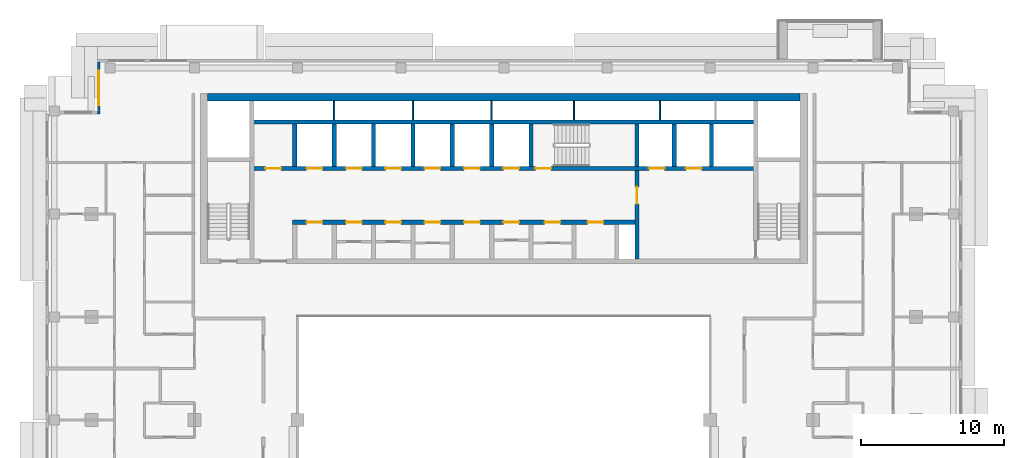
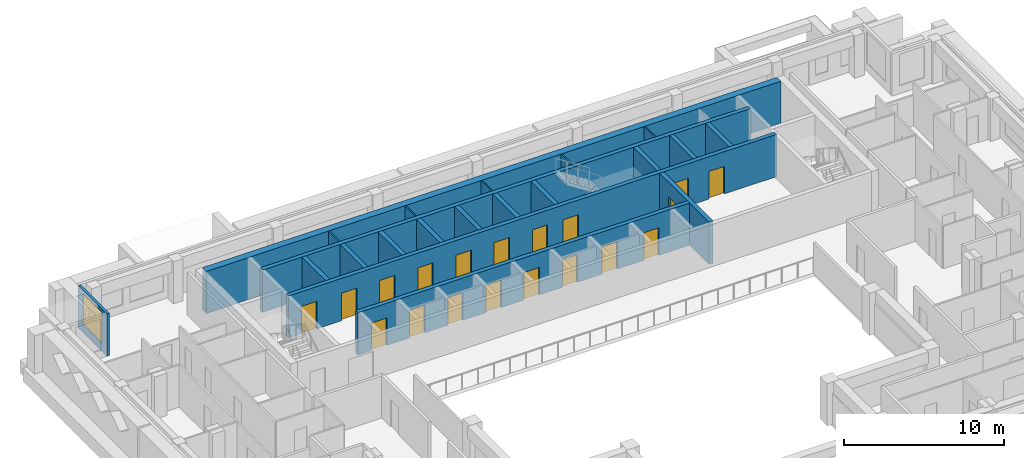
# One storey, part 10 of 19: 21 walls, 19 doors, 1 window, 20 openings.
"""IFC4 building model written with IfcOpenShell, lengths in metres."""

from ifc_helpers import new_model, si_unit, direction, frame, frame_2d, origin, place, context, subcontext, project, spatial, rectangle, extrude, material, layer, layer_set, type_object, element, fill, save


model = new_model("IFC4")

# Units and contexts
model_context = context("Model", 3, precision=1e-05, world=origin(), true_north=direction((0.0, 1.0)))
body_context = subcontext(model_context, "Body", "Model", "MODEL_VIEW")
ifc_project = project(units=[si_unit("LENGTHUNIT", "METRE"), si_unit("AREAUNIT", "SQUARE_METRE"), si_unit("VOLUMEUNIT", "CUBIC_METRE"), si_unit("PLANEANGLEUNIT", "RADIAN"), si_unit("MASSUNIT", "GRAM", prefix="KILO")], contexts=[model_context])

# Site, building, storey
site_placement = place(None, origin())
site = spatial("IfcSite", under=ifc_project, at=site_placement, CompositionType="ELEMENT")
building_placement = place(site_placement, origin())
building = spatial("IfcBuilding", under=site, at=building_placement, Name="Saffron Iwan Residences", CompositionType="ELEMENT")
storey_placement = place(building_placement, frame((0.0, 0.0, 215.0)))
storey = spatial("IfcBuildingStorey", under=building, at=storey_placement, Name="L57", CompositionType="ELEMENT", Elevation=215.0)

# Wall, opening, window
ifc_material_1 = material(Name="Concrete C40/50", Category="concrete")
ifc_layer_1 = layer(ifc_material_1, 0.199951171875)
ifc_layer_set_1 = layer_set([ifc_layer_1], Name="Concrete C40/50")
wall_type_1 = type_object("IfcWallType", Name="EXTERNAL WALL 200", PredefinedType="SOLIDWALL", material=ifc_layer_set_1)
wall_1_placement = place(storey_placement, frame((22.10009765625, 80.199951171875, 0.0), z_axis=(0.0, 0.0, 1.0), x_axis=(0.0, -1.0, 0.0)))
wall_1 = element("IfcWall", 1, at=wall_1_placement, inside=storey, type_object=wall_type_1, Name="External wall L57 F6.0", PredefinedType="SOLIDWALL", context=body_context, shape_type="SweptSolid", body=[
    extrude(rectangle(XDim=3.599853515625, YDim=0.199951171875, at=frame_2d((1.7998046875, 0.0))), origin(), (0.0, 0.0, 1.0), 3.219970703125),
])
opening_1_placement = place(wall_1_placement, frame((0.60009765625, 0.0, 0.60009765625)))
opening_1 = element("IfcOpeningElement", 2, at=opening_1_placement, cuts=wall_1, Name="Opening W1", PredefinedType="OPENING", context=body_context, shape_type="SweptSolid", body=[
    extrude(rectangle(XDim=2.39990234375, YDim=2.39990234375, at=frame_2d((1.199951171875, 1.199951171875))), frame((0.0, 0.10986328125, 0.0), z_axis=(0.0, -1.0, 0.0), x_axis=(1.0, 0.0, 0.0)), (0.0, 0.0, 1.0), 0.219970703125),
])
ifc_material_2 = material(Name="Clear glass, laminated double glazed", Category="glass")
window_type = type_object("IfcWindowType", Name="WINDOW 2400 x 2400", PartitioningType="DOUBLE_PANEL_VERTICAL", PredefinedType="WINDOW", material=ifc_material_2)
window_placement = place(opening_1_placement, origin())
window = element("IfcWindow", 3, at=window_placement, inside=storey, type_object=window_type, Name="Window L57 F6.0", OverallHeight=2.39990234375, OverallWidth=2.39990234375, PartitioningType="DOUBLE_PANEL_VERTICAL", PredefinedType="WINDOW", context=body_context, shape_type="SweptSolid", body=[
    extrude(rectangle(XDim=2.39990234375, YDim=2.39990234375, at=frame_2d((1.199951171875, 1.199951171875))), frame((0.0, 0.030029296875, 0.0), z_axis=(0.0, -1.0, 0.0), x_axis=(1.0, 0.0, 0.0)), (0.0, 0.0, 1.0), 0.06005859375),
])
fill(opening_1, window)

# Walls
ifc_material_3 = material(Name="Fire-rated plasterboard partition")
ifc_layer_2 = layer(ifc_material_3, 0.10009765625)
ifc_layer_set_2 = layer_set([ifc_layer_2], Name="Fire-rated plasterboard partition")
wall_type_2 = type_object("IfcWallType", Name="Riser partition 100", PredefinedType="PARTITIONING", material=ifc_layer_set_2)
for number, where, z_axis, x_axis, name in (
    (4, (38.550048828125, 76.175048828125, 0.0), (0.0, 0.0, 1.0), (0.0, 1.0, 0.0), "Core partition P06"),
    (5, (44.050048828125, 76.175048828125, 0.0), (0.0, 0.0, 1.0), (0.0, 1.0, 0.0), "Core partition P07"),
    (6, (49.550048828125, 76.175048828125, 0.0), (0.0, 0.0, 1.0), (0.0, 1.0, 0.0), "Core partition P08"),
    (7, (55.300048828125, 76.175048828125, 0.0), (0.0, 0.0, 1.0), (0.0, 1.0, 0.0), "Core partition P09"),
    (8, (61.300048828125, 76.175048828125, 0.0), (0.0, 0.0, 1.0), (0.0, 1.0, 0.0), "Core partition P10"),
):
    element("IfcWall", number, at=place(storey_placement, frame(where, z_axis=z_axis, x_axis=x_axis)), inside=storey, type_object=wall_type_2, Name=name, PredefinedType="PARTITIONING", context=body_context, shape_type="SweptSolid", body=[
        extrude(rectangle(XDim=1.324951171875, YDim=0.10009765625, at=frame_2d((0.66259765625, 0.0))), origin(), (0.0, 0.0, 1.0), 3.219970703125),
    ])

# Wall, openings, doors
ifc_layer_3 = layer(ifc_material_1, 0.300048828125)
ifc_layer_set_3 = layer_set([ifc_layer_3], Name="Concrete C40/50")
wall_type_3 = type_object("IfcWallType", Name="WALL CORE 300 C40/50 3220 HIGH", PredefinedType="SHEAR", material=ifc_layer_set_3)
wall_2_placement = place(storey_placement, frame((35.64990234375, 69.02490234375, 0.0), z_axis=(0.0, 0.0, 1.0), x_axis=(1.0, 0.0, 0.0)))
wall_2 = element("IfcWall", 9, at=wall_2_placement, inside=storey, type_object=wall_type_3, Name="Core wall", PredefinedType="SHEAR", context=body_context, shape_type="SweptSolid", body=[
    extrude(rectangle(XDim=24.050048828125, YDim=0.300048828125, at=frame_2d((12.02490234375, 0.0))), origin(), (0.0, 0.0, 1.0), 3.219970703125),
])
opening_2_placement = place(wall_2_placement, frame((0.97509765625, 0.0, 0.0)))
opening_2 = element("IfcOpeningElement", 10, at=opening_2_placement, cuts=wall_2, Name="Opening SR", PredefinedType="OPENING", context=body_context, shape_type="SweptSolid", body=[
    extrude(rectangle(XDim=1.10009765625, YDim=2.10009765625, at=frame_2d((0.550048828125, 1.050048828125))), frame((0.0, 0.16015625, 0.0), z_axis=(0.0, -1.0, 0.0), x_axis=(1.0, 0.0, 0.0)), (0.0, 0.0, 1.0), 0.320068359375),
])
opening_3_placement = place(wall_2_placement, frame((3.72509765625, 0.0, 0.0)))
opening_3 = element("IfcOpeningElement", 11, at=opening_3_placement, cuts=wall_2, Name="Opening SR", PredefinedType="OPENING", context=body_context, shape_type="SweptSolid", body=[
    extrude(rectangle(XDim=1.10009765625, YDim=2.10009765625, at=frame_2d((0.550048828125, 1.050048828125))), frame((0.0, 0.16015625, 0.0), z_axis=(0.0, -1.0, 0.0), x_axis=(1.0, 0.0, 0.0)), (0.0, 0.0, 1.0), 0.320068359375),
])
opening_4_placement = place(wall_2_placement, frame((6.47509765625, 0.0, 0.0)))
opening_4 = element("IfcOpeningElement", 12, at=opening_4_placement, cuts=wall_2, Name="Opening SR", PredefinedType="OPENING", context=body_context, shape_type="SweptSolid", body=[
    extrude(rectangle(XDim=1.10009765625, YDim=2.10009765625, at=frame_2d((0.550048828125, 1.050048828125))), frame((0.0, 0.16015625, 0.0), z_axis=(0.0, -1.0, 0.0), x_axis=(1.0, 0.0, 0.0)), (0.0, 0.0, 1.0), 0.320068359375),
])
opening_5_placement = place(wall_2_placement, frame((9.22509765625, 0.0, 0.0)))
opening_5 = element("IfcOpeningElement", 13, at=opening_5_placement, cuts=wall_2, Name="Opening SR", PredefinedType="OPENING", context=body_context, shape_type="SweptSolid", body=[
    extrude(rectangle(XDim=1.10009765625, YDim=2.10009765625, at=frame_2d((0.550048828125, 1.050048828125))), frame((0.0, 0.16015625, 0.0), z_axis=(0.0, -1.0, 0.0), x_axis=(1.0, 0.0, 0.0)), (0.0, 0.0, 1.0), 0.320068359375),
])
opening_6_placement = place(wall_2_placement, frame((11.97509765625, 0.0, 0.0)))
opening_6 = element("IfcOpeningElement", 14, at=opening_6_placement, cuts=wall_2, Name="Opening SR", PredefinedType="OPENING", context=body_context, shape_type="SweptSolid", body=[
    extrude(rectangle(XDim=1.10009765625, YDim=2.10009765625, at=frame_2d((0.550048828125, 1.050048828125))), frame((0.0, 0.16015625, 0.0), z_axis=(0.0, -1.0, 0.0), x_axis=(1.0, 0.0, 0.0)), (0.0, 0.0, 1.0), 0.320068359375),
])
opening_7_placement = place(wall_2_placement, frame((14.72509765625, 0.0, 0.0)))
opening_7 = element("IfcOpeningElement", 15, at=opening_7_placement, cuts=wall_2, Name="Opening SR", PredefinedType="OPENING", context=body_context, shape_type="SweptSolid", body=[
    extrude(rectangle(XDim=1.10009765625, YDim=2.10009765625, at=frame_2d((0.550048828125, 1.050048828125))), frame((0.0, 0.16015625, 0.0), z_axis=(0.0, -1.0, 0.0), x_axis=(1.0, 0.0, 0.0)), (0.0, 0.0, 1.0), 0.320068359375),
])
opening_8_placement = place(wall_2_placement, frame((17.60009765625, 0.0, 0.0)))
opening_8 = element("IfcOpeningElement", 16, at=opening_8_placement, cuts=wall_2, Name="Opening SR", PredefinedType="OPENING", context=body_context, shape_type="SweptSolid", body=[
    extrude(rectangle(XDim=1.10009765625, YDim=2.10009765625, at=frame_2d((0.550048828125, 1.050048828125))), frame((0.0, 0.16015625, 0.0), z_axis=(0.0, -1.0, 0.0), x_axis=(1.0, 0.0, 0.0)), (0.0, 0.0, 1.0), 0.320068359375),
])
opening_9_placement = place(wall_2_placement, frame((20.60009765625, 0.0, 0.0)))
opening_9 = element("IfcOpeningElement", 17, at=opening_9_placement, cuts=wall_2, Name="Opening SR", PredefinedType="OPENING", context=body_context, shape_type="SweptSolid", body=[
    extrude(rectangle(XDim=1.10009765625, YDim=2.10009765625, at=frame_2d((0.550048828125, 1.050048828125))), frame((0.0, 0.16015625, 0.0), z_axis=(0.0, -1.0, 0.0), x_axis=(1.0, 0.0, 0.0)), (0.0, 0.0, 1.0), 0.320068359375),
])
ifc_material_4 = material(Name="Steel fire door", Category="steel")
door_type_1 = type_object("IfcDoorType", Name="Service door 1100", OperationType="NOTDEFINED", PredefinedType="DOOR", material=ifc_material_4)
door_1_placement = place(opening_2_placement, origin())
door_1 = element("IfcDoor", 18, at=door_1_placement, inside=storey, type_object=door_type_1, Name="Door Communications room", OperationType="SINGLE_SWING_RIGHT", OverallHeight=2.10009765625, OverallWidth=1.10009765625, PredefinedType="DOOR", context=body_context, shape_type="SweptSolid", body=[
    extrude(rectangle(XDim=1.10009765625, YDim=2.10009765625, at=frame_2d((0.550048828125, 1.050048828125))), frame((0.0, 0.02490234375, 0.0), z_axis=(0.0, -1.0, 0.0), x_axis=(1.0, 0.0, 0.0)), (0.0, 0.0, 1.0), 0.050048828125),
])
fill(opening_2, door_1)
door_2_placement = place(opening_3_placement, origin())
door_2 = element("IfcDoor", 19, at=door_2_placement, inside=storey, type_object=door_type_1, Name="Door Switch room", OperationType="SINGLE_SWING_LEFT", OverallHeight=2.10009765625, OverallWidth=1.10009765625, PredefinedType="DOOR", context=body_context, shape_type="SweptSolid", body=[
    extrude(rectangle(XDim=1.10009765625, YDim=2.10009765625, at=frame_2d((0.550048828125, 1.050048828125))), frame((0.0, 0.02490234375, 0.0), z_axis=(0.0, -1.0, 0.0), x_axis=(1.0, 0.0, 0.0)), (0.0, 0.0, 1.0), 0.050048828125),
])
fill(opening_3, door_2)
door_3_placement = place(opening_4_placement, origin())
door_3 = element("IfcDoor", 20, at=door_3_placement, inside=storey, type_object=door_type_1, Name="Door Furniture store", OperationType="SINGLE_SWING_RIGHT", OverallHeight=2.10009765625, OverallWidth=1.10009765625, PredefinedType="DOOR", context=body_context, shape_type="SweptSolid", body=[
    extrude(rectangle(XDim=1.10009765625, YDim=2.10009765625, at=frame_2d((0.550048828125, 1.050048828125))), frame((0.0, 0.02490234375, 0.0), z_axis=(0.0, -1.0, 0.0), x_axis=(1.0, 0.0, 0.0)), (0.0, 0.0, 1.0), 0.050048828125),
])
fill(opening_4, door_3)
door_4_placement = place(opening_5_placement, origin())
door_4 = element("IfcDoor", 21, at=door_4_placement, inside=storey, type_object=door_type_1, Name="Door Housekeeping store", OperationType="SINGLE_SWING_LEFT", OverallHeight=2.10009765625, OverallWidth=1.10009765625, PredefinedType="DOOR", context=body_context, shape_type="SweptSolid", body=[
    extrude(rectangle(XDim=1.10009765625, YDim=2.10009765625, at=frame_2d((0.550048828125, 1.050048828125))), frame((0.0, 0.02490234375, 0.0), z_axis=(0.0, -1.0, 0.0), x_axis=(1.0, 0.0, 0.0)), (0.0, 0.0, 1.0), 0.050048828125),
])
fill(opening_5, door_4)
door_5_placement = place(opening_6_placement, origin())
door_5 = element("IfcDoor", 22, at=door_5_placement, inside=storey, type_object=door_type_1, Name="Door Cleaner's store", OperationType="SINGLE_SWING_RIGHT", OverallHeight=2.10009765625, OverallWidth=1.10009765625, PredefinedType="DOOR", context=body_context, shape_type="SweptSolid", body=[
    extrude(rectangle(XDim=1.10009765625, YDim=2.10009765625, at=frame_2d((0.550048828125, 1.050048828125))), frame((0.0, 0.02490234375, 0.0), z_axis=(0.0, -1.0, 0.0), x_axis=(1.0, 0.0, 0.0)), (0.0, 0.0, 1.0), 0.050048828125),
])
fill(opening_6, door_5)
door_6_placement = place(opening_7_placement, origin())
door_6 = element("IfcDoor", 23, at=door_6_placement, inside=storey, type_object=door_type_1, Name="Door Trolley store", OperationType="SINGLE_SWING_LEFT", OverallHeight=2.10009765625, OverallWidth=1.10009765625, PredefinedType="DOOR", context=body_context, shape_type="SweptSolid", body=[
    extrude(rectangle(XDim=1.10009765625, YDim=2.10009765625, at=frame_2d((0.550048828125, 1.050048828125))), frame((0.0, 0.02490234375, 0.0), z_axis=(0.0, -1.0, 0.0), x_axis=(1.0, 0.0, 0.0)), (0.0, 0.0, 1.0), 0.050048828125),
])
fill(opening_7, door_6)
door_7_placement = place(opening_8_placement, origin())
door_7 = element("IfcDoor", 24, at=door_7_placement, inside=storey, type_object=door_type_1, Name="Door Luggage store", OperationType="SINGLE_SWING_RIGHT", OverallHeight=2.10009765625, OverallWidth=1.10009765625, PredefinedType="DOOR", context=body_context, shape_type="SweptSolid", body=[
    extrude(rectangle(XDim=1.10009765625, YDim=2.10009765625, at=frame_2d((0.550048828125, 1.050048828125))), frame((0.0, 0.02490234375, 0.0), z_axis=(0.0, -1.0, 0.0), x_axis=(1.0, 0.0, 0.0)), (0.0, 0.0, 1.0), 0.050048828125),
])
fill(opening_8, door_7)
door_8_placement = place(opening_9_placement, origin())
door_8 = element("IfcDoor", 25, at=door_8_placement, inside=storey, type_object=door_type_1, Name="Door Refuse store", OperationType="SINGLE_SWING_RIGHT", OverallHeight=2.10009765625, OverallWidth=1.10009765625, PredefinedType="DOOR", context=body_context, shape_type="SweptSolid", body=[
    extrude(rectangle(XDim=1.10009765625, YDim=2.10009765625, at=frame_2d((0.550048828125, 1.050048828125))), frame((0.0, 0.02490234375, 0.0), z_axis=(0.0, -1.0, 0.0), x_axis=(1.0, 0.0, 0.0)), (0.0, 0.0, 1.0), 0.050048828125),
])
fill(opening_9, door_8)

wall_3_placement = place(storey_placement, frame((32.800048828125, 72.77490234375, 0.0), z_axis=(0.0, 0.0, 1.0), x_axis=(1.0, 0.0, 0.0)))
wall_3 = element("IfcWall", 26, at=wall_3_placement, inside=storey, type_object=wall_type_3, Name="Core wall", PredefinedType="SHEAR", context=body_context, shape_type="SweptSolid", body=[
    extrude(rectangle(XDim=35.199951171875, YDim=0.300048828125, at=frame_2d((17.60009765625, 0.0))), origin(), (0.0, 0.0, 1.0), 3.219970703125),
])
opening_10_placement = place(wall_3_placement, frame((19.800048828125, 0.0, 0.0)))
opening_10 = element("IfcOpeningElement", 27, at=opening_10_placement, cuts=wall_3, Name="Opening SD", PredefinedType="OPENING", context=body_context, shape_type="SweptSolid", body=[
    extrude(rectangle(XDim=1.10009765625, YDim=2.10009765625, at=frame_2d((0.550048828125, 1.050048828125))), frame((0.0, 0.16015625, 0.0), z_axis=(0.0, -1.0, 0.0), x_axis=(1.0, 0.0, 0.0)), (0.0, 0.0, 1.0), 0.320068359375),
])
opening_11_placement = place(wall_3_placement, frame((27.72509765625, 0.0, 0.0)))
opening_11 = element("IfcOpeningElement", 28, at=opening_11_placement, cuts=wall_3, Name="Opening LD", PredefinedType="OPENING", context=body_context, shape_type="SweptSolid", body=[
    extrude(rectangle(XDim=1.10009765625, YDim=2.10009765625, at=frame_2d((0.550048828125, 1.050048828125))), frame((0.0, 0.16015625, 0.0), z_axis=(0.0, -1.0, 0.0), x_axis=(1.0, 0.0, 0.0)), (0.0, 0.0, 1.0), 0.320068359375),
])
opening_12_placement = place(wall_3_placement, frame((30.324951171875, 0.0, 0.0)))
opening_12 = element("IfcOpeningElement", 29, at=opening_12_placement, cuts=wall_3, Name="Opening LD", PredefinedType="OPENING", context=body_context, shape_type="SweptSolid", body=[
    extrude(rectangle(XDim=1.10009765625, YDim=2.10009765625, at=frame_2d((0.550048828125, 1.050048828125))), frame((0.0, 0.16015625, 0.0), z_axis=(0.0, -1.0, 0.0), x_axis=(1.0, 0.0, 0.0)), (0.0, 0.0, 1.0), 0.320068359375),
])
opening_13_placement = place(wall_3_placement, frame((3.824951171875, 0.0, 0.0)))
opening_13 = element("IfcOpeningElement", 30, at=opening_13_placement, cuts=wall_3, Name="Opening LD", PredefinedType="OPENING", context=body_context, shape_type="SweptSolid", body=[
    extrude(rectangle(XDim=1.10009765625, YDim=2.10009765625, at=frame_2d((0.550048828125, 1.050048828125))), frame((0.0, 0.16015625, 0.0), z_axis=(0.0, -1.0, 0.0), x_axis=(1.0, 0.0, 0.0)), (0.0, 0.0, 1.0), 0.320068359375),
])
opening_14_placement = place(wall_3_placement, frame((6.574951171875, 0.0, 0.0)))
opening_14 = element("IfcOpeningElement", 31, at=opening_14_placement, cuts=wall_3, Name="Opening LD", PredefinedType="OPENING", context=body_context, shape_type="SweptSolid", body=[
    extrude(rectangle(XDim=1.10009765625, YDim=2.10009765625, at=frame_2d((0.550048828125, 1.050048828125))), frame((0.0, 0.16015625, 0.0), z_axis=(0.0, -1.0, 0.0), x_axis=(1.0, 0.0, 0.0)), (0.0, 0.0, 1.0), 0.320068359375),
])
opening_15_placement = place(wall_3_placement, frame((9.324951171875, 0.0, 0.0)))
opening_15 = element("IfcOpeningElement", 32, at=opening_15_placement, cuts=wall_3, Name="Opening LD", PredefinedType="OPENING", context=body_context, shape_type="SweptSolid", body=[
    extrude(rectangle(XDim=1.10009765625, YDim=2.10009765625, at=frame_2d((0.550048828125, 1.050048828125))), frame((0.0, 0.16015625, 0.0), z_axis=(0.0, -1.0, 0.0), x_axis=(1.0, 0.0, 0.0)), (0.0, 0.0, 1.0), 0.320068359375),
])
opening_16_placement = place(wall_3_placement, frame((12.074951171875, 0.0, 0.0)))
opening_16 = element("IfcOpeningElement", 33, at=opening_16_placement, cuts=wall_3, Name="Opening LD", PredefinedType="OPENING", context=body_context, shape_type="SweptSolid", body=[
    extrude(rectangle(XDim=1.10009765625, YDim=2.10009765625, at=frame_2d((0.550048828125, 1.050048828125))), frame((0.0, 0.16015625, 0.0), z_axis=(0.0, -1.0, 0.0), x_axis=(1.0, 0.0, 0.0)), (0.0, 0.0, 1.0), 0.320068359375),
])
opening_17_placement = place(wall_3_placement, frame((14.824951171875, 0.0, 0.0)))
opening_17 = element("IfcOpeningElement", 34, at=opening_17_placement, cuts=wall_3, Name="Opening LD", PredefinedType="OPENING", context=body_context, shape_type="SweptSolid", body=[
    extrude(rectangle(XDim=1.10009765625, YDim=2.10009765625, at=frame_2d((0.550048828125, 1.050048828125))), frame((0.0, 0.16015625, 0.0), z_axis=(0.0, -1.0, 0.0), x_axis=(1.0, 0.0, 0.0)), (0.0, 0.0, 1.0), 0.320068359375),
])
opening_18_placement = place(wall_3_placement, frame((17.574951171875, 0.0, 0.0)))
opening_18 = element("IfcOpeningElement", 35, at=opening_18_placement, cuts=wall_3, Name="Opening LD", PredefinedType="OPENING", context=body_context, shape_type="SweptSolid", body=[
    extrude(rectangle(XDim=1.10009765625, YDim=2.10009765625, at=frame_2d((0.550048828125, 1.050048828125))), frame((0.0, 0.16015625, 0.0), z_axis=(0.0, -1.0, 0.0), x_axis=(1.0, 0.0, 0.0)), (0.0, 0.0, 1.0), 0.320068359375),
])
opening_19_placement = place(wall_3_placement, frame((0.949951171875, 0.0, 0.0)))
opening_19 = element("IfcOpeningElement", 36, at=opening_19_placement, cuts=wall_3, Name="Opening SR", PredefinedType="OPENING", context=body_context, shape_type="SweptSolid", body=[
    extrude(rectangle(XDim=1.10009765625, YDim=2.10009765625, at=frame_2d((0.550048828125, 1.050048828125))), frame((0.0, 0.16015625, 0.0), z_axis=(0.0, -1.0, 0.0), x_axis=(1.0, 0.0, 0.0)), (0.0, 0.0, 1.0), 0.320068359375),
])
door_type_2 = type_object("IfcDoorType", Name="Lift landing door 1100", OperationType="SLIDING_TO_LEFT", PredefinedType="DOOR", material=ifc_material_4)
door_9_placement = place(opening_11_placement, origin())
door_9 = element("IfcDoor", 37, at=door_9_placement, inside=storey, type_object=door_type_2, Name="Landing doors FF1", OperationType="SLIDING_TO_LEFT", OverallHeight=2.10009765625, OverallWidth=1.10009765625, PredefinedType="DOOR", context=body_context, shape_type="SweptSolid", body=[
    extrude(rectangle(XDim=1.10009765625, YDim=2.10009765625, at=frame_2d((0.550048828125, 1.050048828125))), frame((0.0, 0.02490234375, 0.0), z_axis=(0.0, -1.0, 0.0), x_axis=(1.0, 0.0, 0.0)), (0.0, 0.0, 1.0), 0.050048828125),
])
fill(opening_11, door_9)
door_10_placement = place(opening_12_placement, origin())
door_10 = element("IfcDoor", 38, at=door_10_placement, inside=storey, type_object=door_type_2, Name="Landing doors FF2", OperationType="SLIDING_TO_LEFT", OverallHeight=2.10009765625, OverallWidth=1.10009765625, PredefinedType="DOOR", context=body_context, shape_type="SweptSolid", body=[
    extrude(rectangle(XDim=1.10009765625, YDim=2.10009765625, at=frame_2d((0.550048828125, 1.050048828125))), frame((0.0, 0.02490234375, 0.0), z_axis=(0.0, -1.0, 0.0), x_axis=(1.0, 0.0, 0.0)), (0.0, 0.0, 1.0), 0.050048828125),
])
fill(opening_12, door_10)
door_11_placement = place(opening_13_placement, origin())
door_11 = element("IfcDoor", 39, at=door_11_placement, inside=storey, type_object=door_type_2, Name="Landing doors HR1", OperationType="SLIDING_TO_LEFT", OverallHeight=2.10009765625, OverallWidth=1.10009765625, PredefinedType="DOOR", context=body_context, shape_type="SweptSolid", body=[
    extrude(rectangle(XDim=1.10009765625, YDim=2.10009765625, at=frame_2d((0.550048828125, 1.050048828125))), frame((0.0, 0.02490234375, 0.0), z_axis=(0.0, -1.0, 0.0), x_axis=(1.0, 0.0, 0.0)), (0.0, 0.0, 1.0), 0.050048828125),
])
fill(opening_13, door_11)
door_12_placement = place(opening_14_placement, origin())
door_12 = element("IfcDoor", 40, at=door_12_placement, inside=storey, type_object=door_type_2, Name="Landing doors HR2", OperationType="SLIDING_TO_LEFT", OverallHeight=2.10009765625, OverallWidth=1.10009765625, PredefinedType="DOOR", context=body_context, shape_type="SweptSolid", body=[
    extrude(rectangle(XDim=1.10009765625, YDim=2.10009765625, at=frame_2d((0.550048828125, 1.050048828125))), frame((0.0, 0.02490234375, 0.0), z_axis=(0.0, -1.0, 0.0), x_axis=(1.0, 0.0, 0.0)), (0.0, 0.0, 1.0), 0.050048828125),
])
fill(opening_14, door_12)
door_13_placement = place(opening_15_placement, origin())
door_13 = element("IfcDoor", 41, at=door_13_placement, inside=storey, type_object=door_type_2, Name="Landing doors HR3", OperationType="SLIDING_TO_LEFT", OverallHeight=2.10009765625, OverallWidth=1.10009765625, PredefinedType="DOOR", context=body_context, shape_type="SweptSolid", body=[
    extrude(rectangle(XDim=1.10009765625, YDim=2.10009765625, at=frame_2d((0.550048828125, 1.050048828125))), frame((0.0, 0.02490234375, 0.0), z_axis=(0.0, -1.0, 0.0), x_axis=(1.0, 0.0, 0.0)), (0.0, 0.0, 1.0), 0.050048828125),
])
fill(opening_15, door_13)
door_14_placement = place(opening_16_placement, origin())
door_14 = element("IfcDoor", 42, at=door_14_placement, inside=storey, type_object=door_type_2, Name="Landing doors HR4", OperationType="SLIDING_TO_LEFT", OverallHeight=2.10009765625, OverallWidth=1.10009765625, PredefinedType="DOOR", context=body_context, shape_type="SweptSolid", body=[
    extrude(rectangle(XDim=1.10009765625, YDim=2.10009765625, at=frame_2d((0.550048828125, 1.050048828125))), frame((0.0, 0.02490234375, 0.0), z_axis=(0.0, -1.0, 0.0), x_axis=(1.0, 0.0, 0.0)), (0.0, 0.0, 1.0), 0.050048828125),
])
fill(opening_16, door_14)
door_15_placement = place(opening_17_placement, origin())
door_15 = element("IfcDoor", 43, at=door_15_placement, inside=storey, type_object=door_type_2, Name="Landing doors HR5", OperationType="SLIDING_TO_LEFT", OverallHeight=2.10009765625, OverallWidth=1.10009765625, PredefinedType="DOOR", context=body_context, shape_type="SweptSolid", body=[
    extrude(rectangle(XDim=1.10009765625, YDim=2.10009765625, at=frame_2d((0.550048828125, 1.050048828125))), frame((0.0, 0.02490234375, 0.0), z_axis=(0.0, -1.0, 0.0), x_axis=(1.0, 0.0, 0.0)), (0.0, 0.0, 1.0), 0.050048828125),
])
fill(opening_17, door_15)
door_16_placement = place(opening_18_placement, origin())
door_16 = element("IfcDoor", 44, at=door_16_placement, inside=storey, type_object=door_type_2, Name="Landing doors HR6", OperationType="SLIDING_TO_LEFT", OverallHeight=2.10009765625, OverallWidth=1.10009765625, PredefinedType="DOOR", context=body_context, shape_type="SweptSolid", body=[
    extrude(rectangle(XDim=1.10009765625, YDim=2.10009765625, at=frame_2d((0.550048828125, 1.050048828125))), frame((0.0, 0.02490234375, 0.0), z_axis=(0.0, -1.0, 0.0), x_axis=(1.0, 0.0, 0.0)), (0.0, 0.0, 1.0), 0.050048828125),
])
fill(opening_18, door_16)
door_17_placement = place(opening_19_placement, origin())
door_17 = element("IfcDoor", 45, at=door_17_placement, inside=storey, type_object=door_type_1, Name="Door Meter room", OperationType="SINGLE_SWING_LEFT", OverallHeight=2.10009765625, OverallWidth=1.10009765625, PredefinedType="DOOR", context=body_context, shape_type="SweptSolid", body=[
    extrude(rectangle(XDim=1.10009765625, YDim=2.10009765625, at=frame_2d((0.550048828125, 1.050048828125))), frame((0.0, 0.02490234375, 0.0), z_axis=(0.0, -1.0, 0.0), x_axis=(1.0, 0.0, 0.0)), (0.0, 0.0, 1.0), 0.050048828125),
])
fill(opening_19, door_17)
door_type_3 = type_object("IfcDoorType", Name="Stair door 1100", OperationType="NOTDEFINED", PredefinedType="DOOR", material=ifc_material_4)
door_18_placement = place(opening_10_placement, origin())
door_18 = element("IfcDoor", 46, at=door_18_placement, inside=storey, type_object=door_type_3, Name="Stair door ST-C", OperationType="SINGLE_SWING_LEFT", OverallHeight=2.10009765625, OverallWidth=1.10009765625, PredefinedType="DOOR", context=body_context, shape_type="SweptSolid", body=[
    extrude(rectangle(XDim=1.10009765625, YDim=2.10009765625, at=frame_2d((0.550048828125, 1.050048828125))), frame((0.0, 0.02490234375, 0.0), z_axis=(0.0, -1.0, 0.0), x_axis=(1.0, 0.0, 0.0)), (0.0, 0.0, 1.0), 0.050048828125),
])
fill(opening_10, door_18)

# Wall
wall_4_placement = place(storey_placement, frame((32.800048828125, 76.02490234375, 0.0), z_axis=(0.0, 0.0, 1.0), x_axis=(1.0, 0.0, 0.0)))
element("IfcWall", 47, at=wall_4_placement, inside=storey, type_object=wall_type_3, Name="Core wall", PredefinedType="SHEAR", context=body_context, shape_type="SweptSolid", body=[
    extrude(rectangle(XDim=35.199951171875, YDim=0.300048828125, at=frame_2d((17.60009765625, 0.0))), origin(), (0.0, 0.0, 1.0), 3.219970703125),
])

# Wall, opening, door
wall_5_placement = place(storey_placement, frame((59.699951171875, 66.449951171875, 0.0), z_axis=(0.0, 0.0, 1.0), x_axis=(0.0, 1.0, 0.0)))
wall_5 = element("IfcWall", 48, at=wall_5_placement, inside=storey, type_object=wall_type_3, Name="Core wall", PredefinedType="SHEAR", context=body_context, shape_type="SweptSolid", body=[
    extrude(rectangle(XDim=6.175048828125, YDim=0.300048828125, at=frame_2d((3.08740234375, 0.0))), origin(), (0.0, 0.0, 1.0), 3.219970703125),
])
opening_20_placement = place(wall_5_placement, frame((3.85009765625, 0.0, 0.0)))
opening_20 = element("IfcOpeningElement", 49, at=opening_20_placement, cuts=wall_5, Name="Opening FD", PredefinedType="OPENING", context=body_context, shape_type="SweptSolid", body=[
    extrude(rectangle(XDim=1.199951171875, YDim=2.10009765625, at=frame_2d((0.60009765625, 1.050048828125))), frame((0.0, 0.16015625, 0.0), z_axis=(0.0, -1.0, 0.0), x_axis=(1.0, 0.0, 0.0)), (0.0, 0.0, 1.0), 0.320068359375),
])
door_type_4 = type_object("IfcDoorType", Name="Firefighting lobby door 1200", OperationType="NOTDEFINED", PredefinedType="DOOR", material=ifc_material_4)
door_19_placement = place(opening_20_placement, origin())
door_19 = element("IfcDoor", 50, at=door_19_placement, inside=storey, type_object=door_type_4, Name="Firefighting lobby door", OperationType="SINGLE_SWING_LEFT", OverallHeight=2.10009765625, OverallWidth=1.199951171875, PredefinedType="DOOR", context=body_context, shape_type="SweptSolid", body=[
    extrude(rectangle(XDim=1.199951171875, YDim=2.10009765625, at=frame_2d((0.60009765625, 1.050048828125))), frame((0.0, 0.02490234375, 0.0), z_axis=(0.0, -1.0, 0.0), x_axis=(1.0, 0.0, 0.0)), (0.0, 0.0, 1.0), 0.050048828125),
])
fill(opening_20, door_19)

# Walls
for number, where, z_axis, x_axis, name in (
    (51, (59.699951171875, 72.925048828125, 0.0), (0.0, 0.0, 1.0), (0.0, 1.0, 0.0), "Core wall"),
    (52, (35.800048828125, 72.925048828125, 0.0), (0.0, 0.0, 1.0), (0.0, 1.0, 0.0), "Core wall"),
    (53, (38.550048828125, 72.925048828125, 0.0), (0.0, 0.0, 1.0), (0.0, 1.0, 0.0), "Core wall"),
    (54, (41.300048828125, 72.925048828125, 0.0), (0.0, 0.0, 1.0), (0.0, 1.0, 0.0), "Core wall"),
    (55, (44.050048828125, 72.925048828125, 0.0), (0.0, 0.0, 1.0), (0.0, 1.0, 0.0), "Core wall"),
    (56, (46.800048828125, 72.925048828125, 0.0), (0.0, 0.0, 1.0), (0.0, 1.0, 0.0), "Core wall"),
    (57, (49.550048828125, 72.925048828125, 0.0), (0.0, 0.0, 1.0), (0.0, 1.0, 0.0), "Core wall"),
    (58, (52.300048828125, 72.925048828125, 0.0), (0.0, 0.0, 1.0), (0.0, 1.0, 0.0), "Core wall"),
    (59, (62.300048828125, 72.925048828125, 0.0), (0.0, 0.0, 1.0), (0.0, 1.0, 0.0), "Core wall"),
    (60, (64.89990234375, 72.925048828125, 0.0), (0.0, 0.0, 1.0), (0.0, 1.0, 0.0), "Core wall"),
):
    element("IfcWall", number, at=place(storey_placement, frame(where, z_axis=z_axis, x_axis=x_axis)), inside=storey, type_object=wall_type_3, Name=name, PredefinedType="SHEAR", context=body_context, shape_type="SweptSolid", body=[
        extrude(rectangle(XDim=2.949951171875, YDim=0.300048828125, at=frame_2d((1.47509765625, 0.0))), origin(), (0.0, 0.0, 1.0), 3.219970703125),
    ])
ifc_layer_4 = layer(ifc_material_1, 0.5)
ifc_layer_set_4 = layer_set([ifc_layer_4], Name="Concrete C40/50")
wall_type_4 = type_object("IfcWallType", Name="WALL CORE 500 C40/50 3220 HIGH", PredefinedType="SHEAR", material=ifc_layer_set_4)
wall_6_placement = place(storey_placement, frame((29.699951171875, 77.75, 0.0), z_axis=(0.0, 0.0, 1.0), x_axis=(1.0, 0.0, 0.0)))
element("IfcWall", 61, at=wall_6_placement, inside=storey, type_object=wall_type_4, Name="Core wall", PredefinedType="SHEAR", context=body_context, shape_type="SweptSolid", body=[
    extrude(rectangle(XDim=41.400146484375, YDim=0.5, at=frame_2d((20.7001953125, 0.0))), origin(), (0.0, 0.0, 1.0), 3.219970703125),
])

save(model, "model.ifc")
